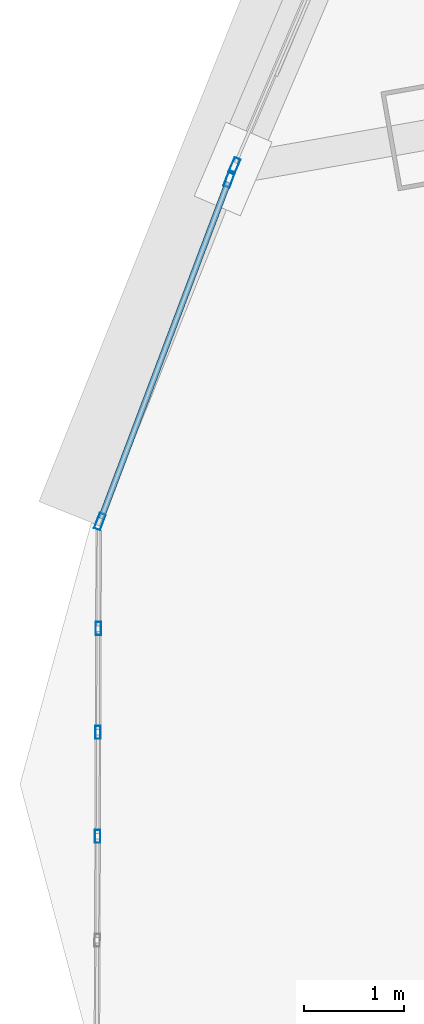
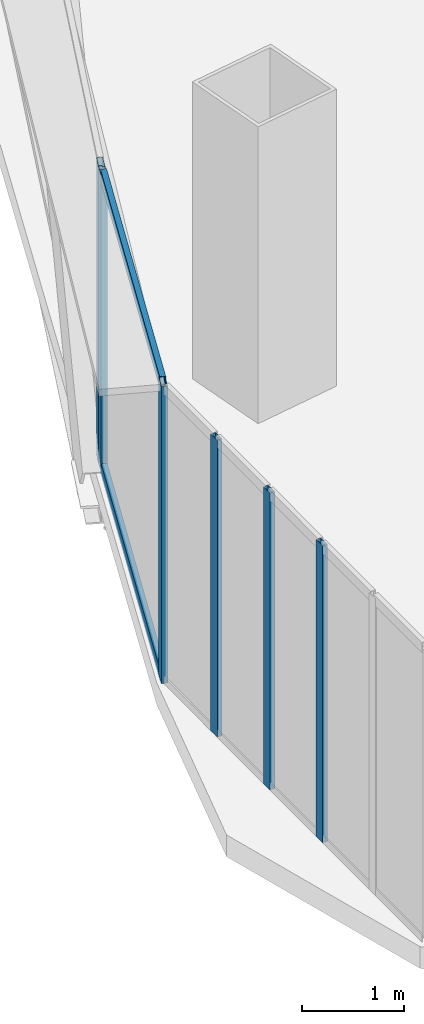
# One storey, part 4 of 39: 8 members, 3 elements without a shape of their own.
"""IFC4 building model written with IfcOpenShell, lengths in metres."""

from ifc_helpers import new_model, si_unit, direction, frame, origin, origin_2d, place, context, subcontext, project, spatial, hollow_rectangle, extrude, source, transform, mapped, material, layer, layer_set, material_profile, profile_set, type_object, element, aggregate, save


model = new_model("IFC4")

# Units and contexts
model_context = context("Model", 3, precision=1e-05, world=origin(), true_north=direction((0.0, 1.0)))
body_context = subcontext(model_context, "Body", "Model", "MODEL_VIEW")
ifc_project = project(units=[si_unit("LENGTHUNIT", "METRE"), si_unit("AREAUNIT", "SQUARE_METRE"), si_unit("VOLUMEUNIT", "CUBIC_METRE"), si_unit("PLANEANGLEUNIT", "RADIAN"), si_unit("MASSUNIT", "GRAM", prefix="KILO"), si_unit("THERMODYNAMICTEMPERATUREUNIT", "KELVIN"), si_unit("POWERUNIT", "WATT")], contexts=[model_context])

# Site, building, storey
site_placement = place(None, origin())
site = spatial("IfcSite", under=ifc_project, at=site_placement, CompositionType="ELEMENT")
building_placement = place(site_placement, origin())
building = spatial("IfcBuilding", under=site, at=building_placement, Name="Yunzhuo Pagoda Commons", CompositionType="ELEMENT")
storey_placement = place(building_placement, frame((0.0, 0.0, 96.3798828125)))
storey = spatial("IfcBuildingStorey", under=building, at=storey_placement, Name="L24", CompositionType="ELEMENT", Elevation=96.3798828125)

# Curtain wall, member
ifc_material = material(Name="Anodized aluminium 6063-T6", Category="aluminium")
ifc_layer_1 = layer(ifc_material, 0.1650390625)
ifc_layer_set_1 = layer_set([ifc_layer_1], Name="Anodized aluminium 6063-T6")
curtain_wall_type_1 = type_object("IfcCurtainWallType", Name="CW-LOW Low-Zone Ribbon Curtain Wall", PredefinedType="NOTDEFINED", material=ifc_layer_set_1)
curtain_wall_1_placement = place(storey_placement, origin())
curtain_wall_1 = element("IfcCurtainWall", 1, at=curtain_wall_1_placement, inside=storey, type_object=curtain_wall_type_1, Name="L24 curtain wall CW-L24-F3B4", PredefinedType="NOTDEFINED")
ifc_material_profile_1 = material_profile(ifc_material, hollow_rectangle(XDim=0.06494140625, YDim=0.1650390625, WallThickness=0.00390625, at=origin_2d()), Name="Anodized aluminium 6063-T6")
ifc_profile_set_1 = profile_set([ifc_material_profile_1], Name="Anodized aluminium 6063-T6")
member_type_1 = type_object("IfcMemberType", Name="CW-LOW-M Mullion RHS 165x65x4", PredefinedType="MULLION", material=ifc_profile_set_1)
shared_shape_1 = source(origin(), body_context, "Body", "SweptSolid", [
    extrude(hollow_rectangle(XDim=0.06494140625, YDim=0.1650390625, WallThickness=0.00390625, at=origin_2d()), origin(), (0.0, 0.0, 1.0), 3.5400390625),
])
member_1_placement = place(storey_placement, frame((7.60888671875, 26.60546875, 0.0), z_axis=(0.0, 0.0, 1.0), x_axis=(0.919382894415, -0.393363818185, 0.0)))
member_1 = element("IfcMember", 2, at=member_1_placement, type_object=member_type_1, Name="CW mullion 2", PredefinedType="MULLION", context=body_context, shape_type="MappedRepresentation", body=[
    mapped(shared_shape_1, transform((0.0, 0.0, 0.0), scale=1.0)),
])
aggregate(curtain_wall_1, [member_1])

# Curtain wall, members
curtain_wall_2_placement = place(storey_placement, origin())
curtain_wall_2 = element("IfcCurtainWall", 3, at=curtain_wall_2_placement, inside=storey, type_object=curtain_wall_type_1, Name="L24 curtain wall CW-L24-F3B5", PredefinedType="NOTDEFINED")
member_2_placement = place(storey_placement, frame((7.558349609375, 26.47509765625, 0.0), z_axis=(0.0, 0.0, 1.0), x_axis=(0.935454086355, -0.353448231461, 0.0)))
member_2 = element("IfcMember", 4, at=member_2_placement, type_object=member_type_1, Name="CW mullion 1", PredefinedType="MULLION", context=body_context, shape_type="MappedRepresentation", body=[
    mapped(shared_shape_1, transform((0.0, 0.0, 0.0), scale=1.0)),
])
member_3_placement = place(storey_placement, frame((6.268798828125, 23.062744140625, 0.0), z_axis=(0.0, 0.0, 1.0), x_axis=(0.935454086355, -0.353448231461, 0.0)))
member_3 = element("IfcMember", 5, at=member_3_placement, type_object=member_type_1, Name="CW mullion 2", PredefinedType="MULLION", context=body_context, shape_type="MappedRepresentation", body=[
    mapped(shared_shape_1, transform((0.0, 0.0, 0.0), scale=1.0)),
])
ifc_material_profile_2 = material_profile(ifc_material, hollow_rectangle(XDim=0.06005859375, YDim=0.139892578125, WallThickness=0.00341796875, at=origin_2d()), Name="Anodized aluminium 6063-T6")
ifc_profile_set_2 = profile_set([ifc_material_profile_2], Name="Anodized aluminium 6063-T6")
member_type_2 = type_object("IfcMemberType", Name="CW-LOW-T Transom RHS 140x60x3.5", PredefinedType="USERDEFINED", material=ifc_profile_set_2)
shared_shape_2 = source(origin(), body_context, "Body", "SweptSolid", [
    extrude(hollow_rectangle(XDim=0.06005859375, YDim=0.139892578125, WallThickness=0.00341796875, at=origin_2d()), origin(), (0.0, 0.0, 1.0), 3.582763671875),
])
member_4_placement = place(storey_placement, frame((7.546630859375, 26.444580078125, 0.030029296875), z_axis=(-0.353452248865, -0.935452568425, 0.0), x_axis=(0.935452568425, -0.353452248865, 0.0)))
member_4 = element("IfcMember", 6, at=member_4_placement, type_object=member_type_2, Name="CW transom 1.1", ObjectType="TRANSOM", PredefinedType="USERDEFINED", context=body_context, shape_type="MappedRepresentation", body=[
    mapped(shared_shape_2, transform((0.0, 0.0, 0.0), scale=1.0)),
])
member_5_placement = place(storey_placement, frame((7.546630859375, 26.444580078125, 3.510009765625), z_axis=(-0.353452248865, -0.935452568425, 0.0), x_axis=(0.935452568425, -0.353452248865, 0.0)))
member_5 = element("IfcMember", 7, at=member_5_placement, type_object=member_type_2, Name="CW transom 1.2", ObjectType="TRANSOM", PredefinedType="USERDEFINED", context=body_context, shape_type="MappedRepresentation", body=[
    mapped(shared_shape_2, transform((0.0, 0.0, 0.0), scale=1.0)),
])
aggregate(curtain_wall_2, [member_2, member_3, member_4, member_5])

ifc_layer_2 = layer(ifc_material, 0.1298828125)
ifc_layer_set_2 = layer_set([ifc_layer_2], Name="Anodized aluminium 6063-T6")
curtain_wall_type_2 = type_object("IfcCurtainWallType", Name="CW-VTX Rounded Corner Curtain Wall", PredefinedType="NOTDEFINED", material=ifc_layer_set_2)
curtain_wall_3_placement = place(storey_placement, origin())
curtain_wall_3 = element("IfcCurtainWall", 8, at=curtain_wall_3_placement, inside=storey, type_object=curtain_wall_type_2, Name="L24 curtain wall CW-L24-VTX1S1", PredefinedType="NOTDEFINED")
ifc_material_profile_3 = material_profile(ifc_material, hollow_rectangle(XDim=0.054931640625, YDim=0.1298828125, WallThickness=0.00341796875, at=origin_2d()), Name="Anodized aluminium 6063-T6")
ifc_profile_set_3 = profile_set([ifc_material_profile_3], Name="Anodized aluminium 6063-T6")
member_type_3 = type_object("IfcMemberType", Name="CW-VTX-M Mullion RHS 130x55x3.5", PredefinedType="MULLION", material=ifc_profile_set_3)
shared_shape_3 = source(origin(), body_context, "Body", "SweptSolid", [
    extrude(hollow_rectangle(XDim=0.054931640625, YDim=0.1298828125, WallThickness=0.00341796875, at=origin_2d()), origin(), (0.0, 0.0, 1.0), 3.5400390625),
])
member_6_placement = place(storey_placement, frame((6.253662109375, 21.996826171875, 0.0), z_axis=(0.0, 0.0, 1.0), x_axis=(0.999993616843, -0.003572992237, 0.0)))
member_6 = element("IfcMember", 9, at=member_6_placement, type_object=member_type_3, Name="CW mullion 2", PredefinedType="MULLION", context=body_context, shape_type="MappedRepresentation", body=[
    mapped(shared_shape_3, transform((0.0, 0.0, 0.0), scale=1.0)),
])
member_7_placement = place(storey_placement, frame((6.25, 20.961181640625, 0.0), z_axis=(0.0, 0.0, 1.0), x_axis=(0.999993616843, -0.003572992237, 0.0)))
member_7 = element("IfcMember", 10, at=member_7_placement, type_object=member_type_3, Name="CW mullion 3", PredefinedType="MULLION", context=body_context, shape_type="MappedRepresentation", body=[
    mapped(shared_shape_3, transform((0.0, 0.0, 0.0), scale=1.0)),
])
member_8_placement = place(storey_placement, frame((6.24609375, 19.92578125, 0.0), z_axis=(0.0, 0.0, 1.0), x_axis=(0.999993616843, -0.003572992237, 0.0)))
member_8 = element("IfcMember", 11, at=member_8_placement, type_object=member_type_3, Name="CW mullion 4", PredefinedType="MULLION", context=body_context, shape_type="MappedRepresentation", body=[
    mapped(shared_shape_3, transform((0.0, 0.0, 0.0), scale=1.0)),
])
aggregate(curtain_wall_3, [member_6, member_7, member_8])

save(model, "model.ifc")
